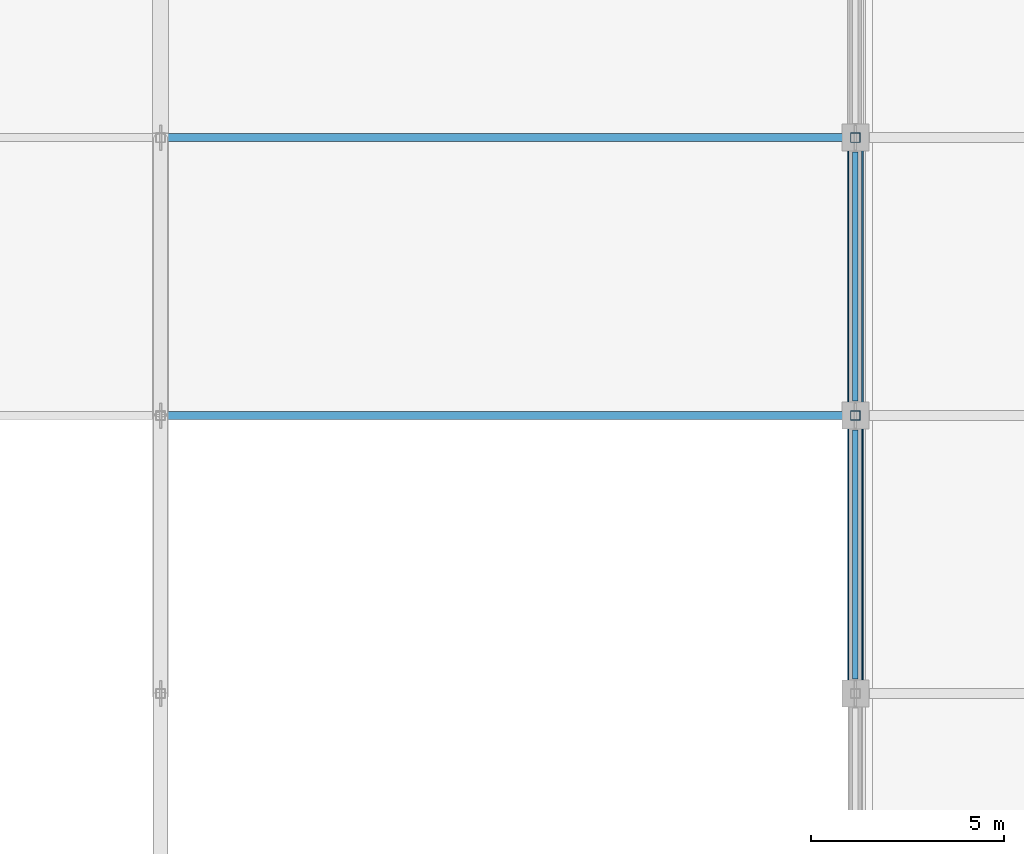
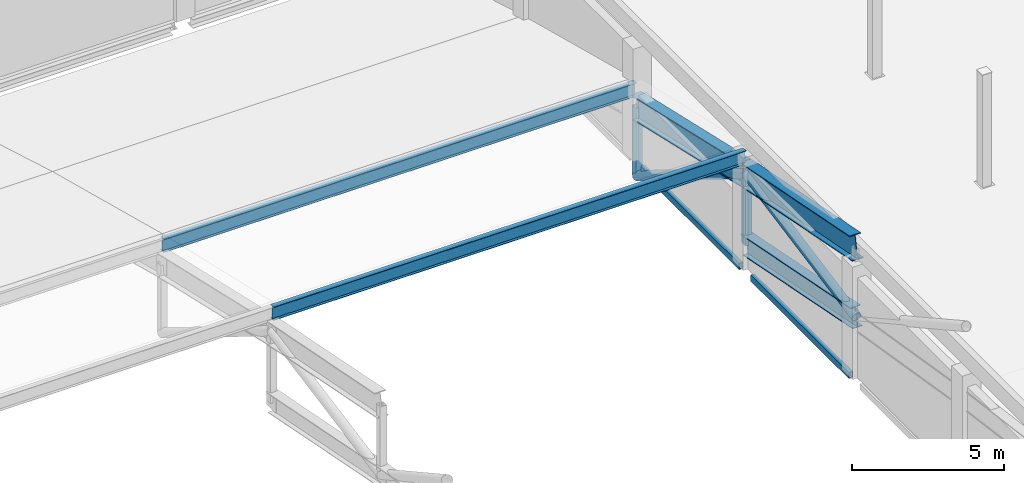
# One storey, part 36 of 124: 9 members, 2 beams.
"""IFC4 building model written with IfcOpenShell, lengths in metres."""

import ifcopenshell
import ifcopenshell.guid

model = None  # the IFC model being written
_history = None  # IfcOwnerHistory: only IFC2X3 demands one
_inside = {}  # id of a spatial element -> (the spatial element, [elements in it])
_under = {}  # id of a project, library or spatial element -> (it, [spatial elements below it])
_declared = {}  # id of a project -> (the project, [libraries it declares])
_typed = {}  # id of a type object -> (the type object, [elements of that type])
_made_of = {}  # id of a material, layer set ... -> (it, [elements and type objects made of it])


def new_model(schema):
    """Start an empty IFC model of exactly this schema.

    Asked for "IFC4X3", IfcOpenShell would pick the latest addendum, in which some entities
    have other attributes; the version numbers below select the first issue.
    IFC2X3 requires an IfcOwnerHistory on every rooted entity: one is made here for all.
    """
    global model, _history
    if schema == "IFC4X3":
        model = ifcopenshell.file(schema_version=(4, 3, 0, 0))
    else:
        model = ifcopenshell.file(schema=schema)
    _inside.clear()
    _under.clear()
    _declared.clear()
    _typed.clear()
    _made_of.clear()
    _history = None
    if model.schema == "IFC2X3":
        org = make("IfcOrganization", Name="unknown")
        user = make(
            "IfcPersonAndOrganization",
            ThePerson=make("IfcPerson", FamilyName="unknown"),
            TheOrganization=org,
        )
        app = make(
            "IfcApplication",
            ApplicationDeveloper=org,
            Version="unknown",
            ApplicationFullName="unknown",
            ApplicationIdentifier="unknown",
        )
        _history = make(
            "IfcOwnerHistory",
            OwningUser=user,
            OwningApplication=app,
            ChangeAction="ADDED",
            CreationDate=0,
        )
    return model


def make(cls, **values):
    """One entity of the class cls with the attributes given. An attribute that is None is left unset."""
    return model.create_entity(
        cls, **{name: value for name, value in values.items() if value is not None}
    )


def rooted(cls, **values):
    """An entity with a GlobalId (a new one), such as an element, a storey or a relation."""
    return make(cls, GlobalId=ifcopenshell.guid.new(), OwnerHistory=_history, **values)


def si_unit(unit_type, name, prefix=None):
    """IfcSIUnit, for example si_unit("LENGTHUNIT", "METRE", prefix="MILLI")."""
    return make("IfcSIUnit", UnitType=unit_type, Prefix=prefix, Name=name)


def assignment(units):
    """IfcUnitAssignment: the units of a project."""
    return None if units is None else make("IfcUnitAssignment", Units=units)


def point(xyz):
    """IfcCartesianPoint."""
    return None if xyz is None else make("IfcCartesianPoint", Coordinates=xyz)


def direction(xyz):
    """IfcDirection."""
    return None if xyz is None else make("IfcDirection", DirectionRatios=xyz)


def frame(location, z_axis=None, x_axis=None):
    """IfcAxis2Placement3D, a coordinate frame: its origin and axes. An axis left out is left unset."""
    return make(
        "IfcAxis2Placement3D",
        Location=point(location),
        Axis=direction(z_axis),
        RefDirection=direction(x_axis),
    )


def frame_2d(location, x_axis=None):
    """IfcAxis2Placement2D, a coordinate frame in the plane: its origin and x axis."""
    return make(
        "IfcAxis2Placement2D", Location=point(location), RefDirection=direction(x_axis)
    )


def origin():
    """The frame at (0, 0, 0) with its axes left unset."""
    return frame((0.0, 0.0, 0.0))


def origin_2d():
    """The frame at (0, 0) in the plane with its x axis left unset."""
    return frame_2d((0.0, 0.0))


def place(relative_to, where):
    """IfcLocalPlacement: puts the frame where relative to a parent placement (None: the world)."""
    return make(
        "IfcLocalPlacement", PlacementRelTo=relative_to, RelativePlacement=where
    )


def context(
    kind, dimensions, precision=None, world=None, true_north=None, identifier=None
):
    """IfcGeometricRepresentationContext, for example the 3D "Model" context."""
    return make(
        "IfcGeometricRepresentationContext",
        ContextIdentifier=identifier,
        ContextType=kind,
        CoordinateSpaceDimension=dimensions,
        Precision=precision,
        WorldCoordinateSystem=world,
        TrueNorth=true_north,
    )


def subcontext(parent, identifier, kind, view, scale=None):
    """IfcGeometricRepresentationSubContext, for example "Body" below "Model"."""
    return make(
        "IfcGeometricRepresentationSubContext",
        ContextIdentifier=identifier,
        ContextType=kind,
        ParentContext=parent,
        TargetScale=scale,
        TargetView=view,
    )


def project(units=None, contexts=None):
    """IfcProject with its units and contexts."""
    return rooted(
        "IfcProject",
        Name="project",
        RepresentationContexts=contexts,
        UnitsInContext=assignment(units),
    )


def spatial(cls, under=None, at=None, **own):
    """A site, building, storey or space (cls), placed at a placement, below another one or the project."""
    s = rooted(cls, ObjectPlacement=at, **own)
    if under is not None:
        _under.setdefault(under.id(), (under, []))[1].append(s)
    return s


def profile(cls, at=None, kind="AREA", **sizes):
    """A parametric profile (cls). Its sizes go by their IFC names, for example OverallWidth=200.0."""
    return make(cls, ProfileType=kind, Position=at, **sizes)


def hollow_rectangle(**sizes):
    """IfcRectangleHollowProfileDef."""
    return profile("IfcRectangleHollowProfileDef", **sizes)


def hollow_circle(**sizes):
    """IfcCircleHollowProfileDef."""
    return profile("IfcCircleHollowProfileDef", **sizes)


def i_section(**sizes):
    """IfcIShapeProfileDef."""
    return profile("IfcIShapeProfileDef", **sizes)


def extrude(swept, where, along, depth):
    """IfcExtrudedAreaSolid: the profile swept, set in the frame where, extruded along a direction by depth."""
    return make(
        "IfcExtrudedAreaSolid",
        SweptArea=swept,
        Position=where,
        ExtrudedDirection=direction(along),
        Depth=depth,
    )


def shape(context_of_items, identifier, shape_type, items):
    """IfcShapeRepresentation: the items that make up one representation, for example the "Body"."""
    return make(
        "IfcShapeRepresentation",
        ContextOfItems=context_of_items,
        RepresentationIdentifier=identifier,
        RepresentationType=shape_type,
        Items=items,
    )


def material(Name=None, Category=None):
    """IfcMaterial."""
    return make("IfcMaterial", Name=Name, Category=Category)


def material_profile(
    of_material, cross_section, Name=None, Category=None, Priority=None
):
    """IfcMaterialProfile: a cross section and its material."""
    return make(
        "IfcMaterialProfile",
        Name=Name,
        Material=of_material,
        Profile=cross_section,
        Priority=Priority,
        Category=Category,
    )


def profile_set(profiles, Name=None, composite=None):
    """IfcMaterialProfileSet."""
    return make(
        "IfcMaterialProfileSet",
        Name=Name,
        MaterialProfiles=profiles,
        CompositeProfile=composite,
    )


def made_of(thing, what):
    """Note that an element or type object is made of a material, layer set ...; save() writes the relation."""
    if what is not None:
        _made_of.setdefault(what.id(), (what, []))[1].append(thing)
    return thing


def type_object(cls, material=None, **own):
    """A type object (cls), such as IfcWallType, which elements share."""
    return made_of(rooted(cls, **own), material)


def element(
    cls,
    number,
    at=None,
    inside=None,
    cuts=None,
    type_object=None,
    material=None,
    context=None,
    identifier="Body",
    shape_type=None,
    held_by="IfcProductDefinitionShape",
    body=None,
    shapes=None,
    **own,
):
    """One element of the class cls, such as IfcWall. Its Tag is "e" and its number.

    at: its placement. inside: the storey or other place that contains it. cuts: it is an
    opening in that element (IfcRelVoidsElement). A single representation is given by context,
    identifier, shape_type and body (its items); several are given by shapes. held_by: the class
    of the entity that holds the representations. save() writes the other relations.
    """
    e = rooted(cls, Tag="e%d" % number, ObjectPlacement=at, **own)
    if body is not None:
        shapes = [shape(context, identifier, shape_type, body)]
    if shapes is not None:
        e.Representation = make(held_by, Representations=shapes)
    if inside is not None:
        _inside.setdefault(inside.id(), (inside, []))[1].append(e)
    if cuts is not None:
        rooted(
            "IfcRelVoidsElement", RelatingBuildingElement=cuts, RelatedOpeningElement=e
        )
    if type_object is not None:
        _typed.setdefault(type_object.id(), (type_object, []))[1].append(e)
    return made_of(e, material)


def aggregate(whole, parts):
    """IfcRelAggregates: a whole, such as a stair, and the parts it consists of."""
    return rooted("IfcRelAggregates", RelatingObject=whole, RelatedObjects=parts)


def save(model, path):
    """Write the relations noted so far, then the file.

    IfcRelAggregates (storeys below a building ...), IfcRelContainedInSpatialStructure (elements
    in a storey), IfcRelDefinesByType, IfcRelAssociatesMaterial and IfcRelDeclares: one each for
    every whole, place, type object, material and project.
    """
    for whole, parts in _under.values():
        aggregate(whole, parts)
    for where, things in _inside.values():
        rooted(
            "IfcRelContainedInSpatialStructure",
            RelatedElements=things,
            RelatingStructure=where,
        )
    for kind, things in _typed.values():
        rooted("IfcRelDefinesByType", RelatedObjects=things, RelatingType=kind)
    for what, things in _made_of.values():
        rooted("IfcRelAssociatesMaterial", RelatedObjects=things, RelatingMaterial=what)
    for by, libraries in _declared.values():
        rooted("IfcRelDeclares", RelatingContext=by, RelatedDefinitions=libraries)
    model.write(path)


model = new_model("IFC4")

# Units and contexts
model_context = context("Model", 3, precision=1e-05, world=origin(), true_north=direction((0.0, 1.0)))
body_context = subcontext(model_context, "Body", "Model", "MODEL_VIEW")
ifc_project = project(units=[si_unit("LENGTHUNIT", "METRE"), si_unit("AREAUNIT", "SQUARE_METRE"), si_unit("VOLUMEUNIT", "CUBIC_METRE"), si_unit("PLANEANGLEUNIT", "RADIAN"), si_unit("MASSUNIT", "GRAM", prefix="KILO")], contexts=[model_context])

# Site, building, storey
site_placement = place(None, origin())
site = spatial("IfcSite", under=ifc_project, at=site_placement, CompositionType="ELEMENT")
building_placement = place(site_placement, origin())
building = spatial("IfcBuilding", under=site, at=building_placement, Name="Celestram Park Convention Centre", CompositionType="ELEMENT")
storey_placement = place(building_placement, frame((0.0, 0.0, 15.300048828125)))
storey = spatial("IfcBuildingStorey", under=building, at=storey_placement, Name="L03", CompositionType="ELEMENT", Elevation=15.300048828125)

# Members
ifc_material_1 = material(Name="Steel ASTM A500 Grade C", Category="steel")
ifc_material_profile_1 = material_profile(ifc_material_1, hollow_circle(Radius=0.177978515625, WallThickness=0.011962890625, at=origin_2d()), Name="CHS356X12")
ifc_profile_set_1 = profile_set([ifc_material_profile_1], Name="Steel ASTM A500 Grade C")
member_type_1 = type_object("IfcMemberType", Name="STR-BRC-CHS356", PredefinedType="BRACE", material=ifc_profile_set_1)
member_1_placement = place(storey_placement, frame((126.0, 79.199951171875, 2.181640625), z_axis=(0.0, 0.982076449011, 0.188483018595), x_axis=(-1.0, 0.0, 0.0)))
element("IfcMember", 1, at=member_1_placement, inside=storey, type_object=member_type_1, Name="V1 arch web diagonal", PredefinedType="BRACE", context=body_context, shape_type="SweptSolid", body=[
    extrude(hollow_circle(Radius=0.177978515625, WallThickness=0.011962890625, at=origin_2d()), origin(), (0.0, 0.0, 1.0), 7.331298828125),
])
member_2_placement = place(storey_placement, frame((126.0, 86.39990234375, 3.5634765625), z_axis=(0.0, 0.850741852858, -0.525583770483), x_axis=(-1.0, 0.0, 0.0)))
element("IfcMember", 2, at=member_2_placement, inside=storey, type_object=member_type_1, Name="V1 arch web diagonal", PredefinedType="BRACE", context=body_context, shape_type="SweptSolid", body=[
    extrude(hollow_circle(Radius=0.177978515625, WallThickness=0.011962890625, at=origin_2d()), origin(), (0.0, 0.0, 1.0), 8.46337890625),
])
ifc_material_2 = material(Name="Steel ASTM A992 Grade 50", Category="steel")
ifc_material_profile_2 = material_profile(ifc_material_2, i_section(OverallWidth=0.381103515625, OverallDepth=0.77197265625, WebThickness=0.0166015625, FlangeThickness=0.027099609375, at=origin_2d()), Name="W30X173")
ifc_profile_set_2 = profile_set([ifc_material_profile_2], Name="Steel ASTM A992 Grade 50")
member_type_2 = type_object("IfcMemberType", Name="STR-CHD-W30X173", PredefinedType="CHORD", material=ifc_profile_set_2)
member_3_placement = place(storey_placement, frame((126.0, 79.199951171875, 2.181640625), z_axis=(0.0, 0.981147221646, -0.193261815827), x_axis=(-1.0, 0.0, 0.0)))
element("IfcMember", 3, at=member_3_placement, inside=storey, type_object=member_type_2, Name="V1 arch bottom chord", PredefinedType="CHORD", context=body_context, shape_type="SweptSolid", body=[
    extrude(i_section(OverallWidth=0.381103515625, OverallDepth=0.77197265625, WebThickness=0.0166015625, FlangeThickness=0.027099609375, at=origin_2d()), origin(), (0.0, 0.0, 1.0), 7.33837890625),
])
ifc_material_profile_3 = material_profile(ifc_material_2, i_section(OverallWidth=0.4189453125, OverallDepth=0.927001953125, WebThickness=0.019287109375, FlangeThickness=0.031982421875, at=origin_2d()), Name="W36X231")
ifc_profile_set_3 = profile_set([ifc_material_profile_3], Name="Steel ASTM A992 Grade 50")
member_type_3 = type_object("IfcMemberType", Name="STR-CHD-W36X231", PredefinedType="CHORD", material=ifc_profile_set_3)
member_4_placement = place(storey_placement, frame((126.0, 79.199951171875, 4.981689453125), z_axis=(0.0, 0.981147221646, -0.193261815827), x_axis=(-1.0, 0.0, 0.0)))
element("IfcMember", 4, at=member_4_placement, inside=storey, type_object=member_type_3, Name="V1 arch top chord", PredefinedType="CHORD", context=body_context, shape_type="SweptSolid", body=[
    extrude(i_section(OverallWidth=0.4189453125, OverallDepth=0.927001953125, WebThickness=0.019287109375, FlangeThickness=0.031982421875, at=origin_2d()), origin(), (0.0, 0.0, 1.0), 7.33837890625),
])
member_5_placement = place(storey_placement, frame((126.0, 86.39990234375, 3.5634765625), z_axis=(0.0, 0.974779673899, -0.223169414016), x_axis=(-1.0, 0.0, 0.0)))
element("IfcMember", 5, at=member_5_placement, inside=storey, type_object=member_type_3, Name="V1 arch top chord", PredefinedType="CHORD", context=body_context, shape_type="SweptSolid", body=[
    extrude(i_section(OverallWidth=0.4189453125, OverallDepth=0.927001953125, WebThickness=0.019287109375, FlangeThickness=0.031982421875, at=origin_2d()), origin(), (0.0, 0.0, 1.0), 7.386474609375),
])
ifc_material_profile_4 = material_profile(ifc_material_2, i_section(OverallWidth=0.2099609375, OverallDepth=0.532958984375, WebThickness=0.01025390625, FlangeThickness=0.015625, at=origin_2d()), Name="W21X62")
ifc_profile_set_4 = profile_set([ifc_material_profile_4], Name="Steel ASTM A992 Grade 50")
member_type_4 = type_object("IfcMemberType", Name="STR-RFT-W21X62", PredefinedType="RAFTER", material=ifc_profile_set_4)
for number, where, z_axis, x_axis, name in (
    (6, (108.0, 86.39990234375, 4.29345703125), (1.0, 0.0, 0.0), (0.0, 1.0, 0.0), "V1 roof purlin"),
    (7, (108.0, 93.60009765625, 2.645263671875), (1.0, 0.0, 0.0), (0.0, 1.0, 0.0), "V1 roof purlin"),
):
    element("IfcMember", number, at=place(storey_placement, frame(where, z_axis=z_axis, x_axis=x_axis)), inside=storey, type_object=member_type_4, Name=name, PredefinedType="RAFTER", context=body_context, shape_type="SweptSolid", body=[
        extrude(i_section(OverallWidth=0.2099609375, OverallDepth=0.532958984375, WebThickness=0.01025390625, FlangeThickness=0.015625, at=origin_2d()), origin(), (0.0, 0.0, 1.0), 17.919921875),
    ])

# Beams
ifc_material_profile_5 = material_profile(ifc_material_1, hollow_rectangle(XDim=0.14990234375, YDim=0.25, WallThickness=0.010009765625, at=origin_2d()), Name="HSS250X150X10")
ifc_profile_set_5 = profile_set([ifc_material_profile_5], Name="Steel ASTM A500 Grade C")
beam_type = type_object("IfcBeamType", Name="STR-SPN-HSS250X150", PredefinedType="SPANDREL", material=ifc_profile_set_5)
for number, where, z_axis, x_axis, name in (
    (8, (126.0, 79.572998046875, -0.375), (0.0, 1.0, 0.0), (-1.0, 0.0, 0.0), "Primary Y-girder BG-L03-0159"),
    (9, (126.0, 86.77294921875, -0.375), (0.0, 1.0, 0.0), (-1.0, 0.0, 0.0), "Primary Y-girder BG-L03-0161"),
):
    element("IfcBeam", number, at=place(storey_placement, frame(where, z_axis=z_axis, x_axis=x_axis)), inside=storey, type_object=beam_type, Name=name, PredefinedType="SPANDREL", context=body_context, shape_type="SweptSolid", body=[
        extrude(hollow_rectangle(XDim=0.14990234375, YDim=0.25, WallThickness=0.010009765625, at=origin_2d()), origin(), (0.0, 0.0, 1.0), 6.4541015625),
    ])

# Members
ifc_material_profile_6 = material_profile(ifc_material_1, hollow_rectangle(XDim=0.25, YDim=0.25, WallThickness=0.011962890625, at=origin_2d()), Name="HSS250X250X12")
ifc_profile_set_6 = profile_set([ifc_material_profile_6], Name="Steel ASTM A500 Grade C")
member_type_5 = type_object("IfcMemberType", Name="STR-STR-HSS250", PredefinedType="STRUT", material=ifc_profile_set_6)
member_6_placement = place(storey_placement, frame((126.0, 86.39990234375, 0.763427734375), z_axis=(0.0, 0.0, 1.0), x_axis=(1.0, 0.0, 0.0)))
element("IfcMember", 10, at=member_6_placement, inside=storey, type_object=member_type_5, Name="V1 arch vertical strut", PredefinedType="STRUT", context=body_context, shape_type="SweptSolid", body=[
    extrude(hollow_rectangle(XDim=0.25, YDim=0.25, WallThickness=0.011962890625, at=origin_2d()), origin(), (0.0, 0.0, 1.0), 2.800048828125),
])
member_7_placement = place(storey_placement, frame((126.0, 93.60009765625, -0.884765625), z_axis=(0.0, 0.0, 1.0), x_axis=(1.0, 0.0, 0.0)))
element("IfcMember", 11, at=member_7_placement, inside=storey, type_object=member_type_5, Name="V1 arch vertical strut", PredefinedType="STRUT", context=body_context, shape_type="SweptSolid", body=[
    extrude(hollow_rectangle(XDim=0.25, YDim=0.25, WallThickness=0.011962890625, at=origin_2d()), origin(), (0.0, 0.0, 1.0), 2.7998046875),
])

save(model, "model.ifc")
